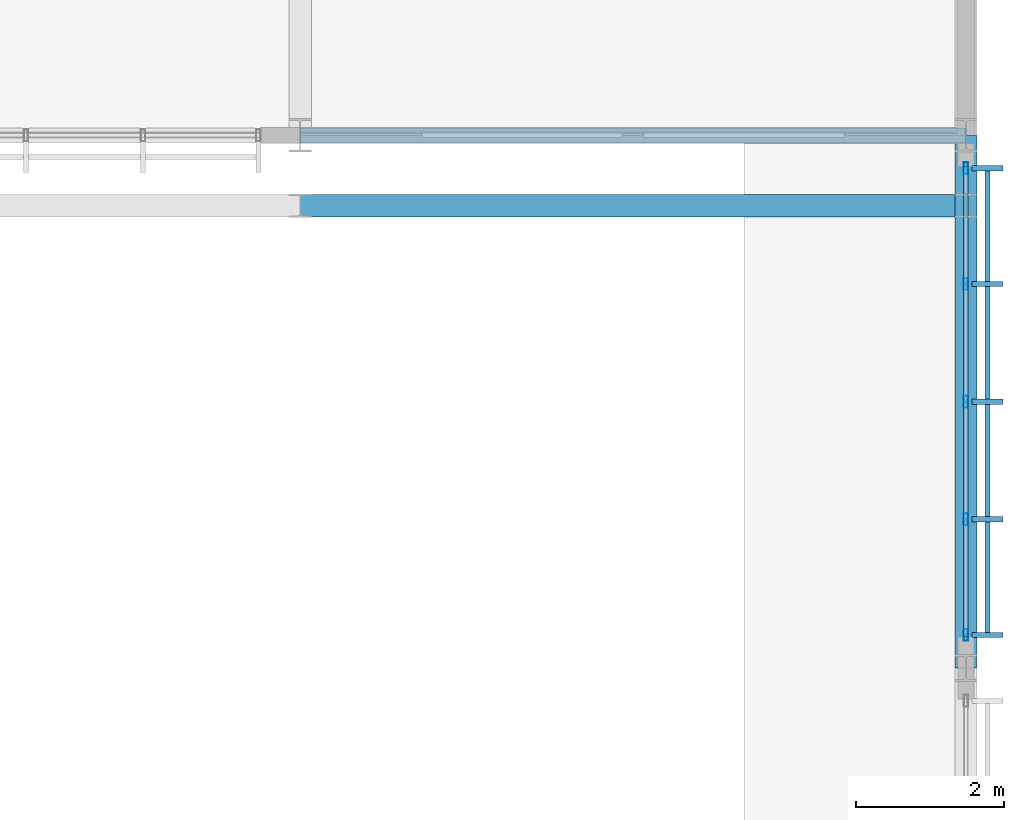
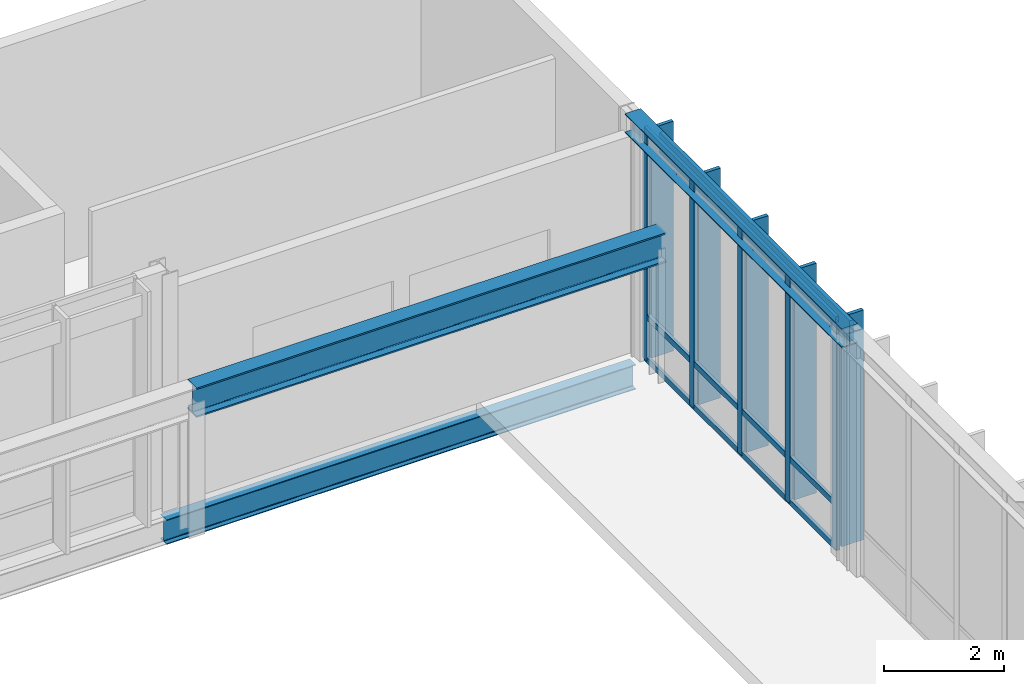
# One storey, part 113 of 177: 14 members, 3 beams, 1 element without a shape of its own.
"""IFC4 building model written with IfcOpenShell, lengths in metres."""

from ifc_helpers import new_model, si_unit, direction, frame, origin, origin_2d, place, context, subcontext, project, spatial, rectangle, hollow_rectangle, i_section, extrude, material, material_profile, profile_set, type_object, element, aggregate, save


model = new_model("IFC4")

# Units and contexts
model_context = context("Model", 3, precision=1e-05, world=origin(), true_north=direction((0.0, 1.0)))
body_context = subcontext(model_context, "Body", "Model", "MODEL_VIEW")
ifc_project = project(units=[si_unit("LENGTHUNIT", "METRE"), si_unit("AREAUNIT", "SQUARE_METRE"), si_unit("VOLUMEUNIT", "CUBIC_METRE"), si_unit("PLANEANGLEUNIT", "RADIAN"), si_unit("MASSUNIT", "GRAM", prefix="KILO")], contexts=[model_context])

# Site, building, storey
site_placement = place(None, origin())
site = spatial("IfcSite", under=ifc_project, at=site_placement, CompositionType="ELEMENT")
building_placement = place(site_placement, origin())
building = spatial("IfcBuilding", under=site, at=building_placement, Name="Chiffa Square Polytechnic", CompositionType="ELEMENT")
storey_placement = place(building_placement, frame((0.0, 0.0, 4.800048828125)))
storey = spatial("IfcBuildingStorey", under=building, at=storey_placement, Name="L01", CompositionType="ELEMENT", Elevation=4.800048828125)

# Beams
ifc_material_1 = material(Name="Steel S355", Category="steel")
ifc_material_profile_1 = material_profile(ifc_material_1, i_section(OverallWidth=0.300048828125, OverallDepth=0.389892578125, WebThickness=0.010986328125, FlangeThickness=0.01904296875, FilletRadius=0.027099609375, at=origin_2d()), Name="HEA 400")
ifc_profile_set_1 = profile_set([ifc_material_profile_1], Name="Steel S355")
beam_type_1 = type_object("IfcBeamType", Name="BM-STL-HEA400", PredefinedType="BEAM", material=ifc_profile_set_1)
beam_1_placement = place(storey_placement, frame((175.199951171875, 79.800048828125, 4.60498046875), z_axis=(0.0, 1.0, 0.0), x_axis=(-1.0, 0.0, 0.0)))
element("IfcBeam", 1, at=beam_1_placement, inside=storey, type_object=beam_type_1, Name="Workshop east gable tie girder BM-V2-GBLTIE-E4", PredefinedType="BEAM", context=body_context, shape_type="SweptSolid", body=[
    extrude(i_section(OverallWidth=0.300048828125, OverallDepth=0.389892578125, WebThickness=0.010986328125, FlangeThickness=0.01904296875, FilletRadius=0.027099609375, at=origin_2d()), origin(), (0.0, 0.0, 1.0), 7.199951171875),
])
ifc_material_profile_2 = material_profile(ifc_material_1, i_section(OverallWidth=0.199951171875, OverallDepth=0.5, WebThickness=0.01025390625, FlangeThickness=0.01611328125, FilletRadius=0.02099609375, at=origin_2d()), Name="IPE 500")
ifc_profile_set_2 = profile_set([ifc_material_profile_2], Name="Steel S355")
beam_type_2 = type_object("IfcBeamType", Name="BM-STL-IPE500", PredefinedType="BEAM", material=ifc_profile_set_2)
beam_2_placement = place(storey_placement, frame((166.199951171875, 87.0, -0.530029296875), z_axis=(1.0, 0.0, 0.0), x_axis=(0.0, 1.0, 0.0)))
element("IfcBeam", 2, at=beam_2_placement, inside=storey, type_object=beam_type_2, Name="Primary floor girder BM-V2-L01-X-1662-0870", PredefinedType="BEAM", context=body_context, shape_type="SweptSolid", body=[
    extrude(i_section(OverallWidth=0.199951171875, OverallDepth=0.5, WebThickness=0.01025390625, FlangeThickness=0.01611328125, FilletRadius=0.02099609375, at=origin_2d()), origin(), (0.0, 0.0, 1.0), 9.0),
])
ifc_material_profile_3 = material_profile(ifc_material_1, i_section(OverallWidth=0.300048828125, OverallDepth=0.60009765625, WebThickness=0.015380859375, FlangeThickness=0.030029296875, FilletRadius=0.027099609375, at=origin_2d()), Name="HEB 600")
ifc_profile_set_3 = profile_set([ifc_material_profile_3], Name="Steel S355")
beam_type_3 = type_object("IfcBeamType", Name="CG-STL-HEB600", PredefinedType="USERDEFINED", material=ifc_profile_set_3)
beam_3_placement = place(storey_placement, frame((166.199951171875, 86.050048828125, 2.699951171875), z_axis=(1.0, 0.0, 0.0), x_axis=(0.0, 1.0, 0.0)))
element("IfcBeam", 3, at=beam_3_placement, inside=storey, type_object=beam_type_3, Name="Bridge crane runway girder CG-V2-L01-N07", ObjectType="CRANE GIRDER", PredefinedType="USERDEFINED", context=body_context, shape_type="SweptSolid", body=[
    extrude(i_section(OverallWidth=0.300048828125, OverallDepth=0.60009765625, WebThickness=0.015380859375, FlangeThickness=0.030029296875, FilletRadius=0.027099609375, at=origin_2d()), origin(), (0.0, 0.0, 1.0), 9.0),
])

# Curtain wall, members
ifc_material_2 = material(Name="Aluminium EN AW-6060 T66 and glulam shading", Category="wood")
curtain_wall_type = type_object("IfcCurtainWallType", Name="CW-VERT-600X380", PredefinedType="USERDEFINED", material=ifc_material_2)
curtain_wall_placement = place(storey_placement, origin())
curtain_wall = element("IfcCurtainWall", 4, at=curtain_wall_placement, inside=storey, type_object=curtain_wall_type, Name="Curtain wall CW-V2-L01E-04", ObjectType="CURTAIN WALL", PredefinedType="USERDEFINED")
ifc_material_3 = material(Name="Aluminium EN AW-6060 T66", Category="aluminium")
ifc_material_profile_4 = material_profile(ifc_material_3, hollow_rectangle(XDim=0.06005859375, YDim=0.159912109375, WallThickness=0.00390625, at=origin_2d()), Name="ALU 60x160x4")
ifc_profile_set_4 = profile_set([ifc_material_profile_4], Name="Aluminium EN AW-6060 T66")
member_type_1 = type_object("IfcMemberType", Name="CWM-ALU-65X150", PredefinedType="MULLION", material=ifc_profile_set_4)
member_1_placement = place(storey_placement, frame((175.199951171875, 80.2451171875, 0.0400390625), z_axis=(0.0, 0.0, 1.0), x_axis=(1.0, 0.0, 0.0)))
member_1 = element("IfcMember", 5, at=member_1_placement, type_object=member_type_1, Name="Curtain wall mullion CW-V2-L01E-04-M00", PredefinedType="MULLION", context=body_context, shape_type="SweptSolid", body=[
    extrude(hollow_rectangle(XDim=0.06005859375, YDim=0.159912109375, WallThickness=0.00390625, at=origin_2d()), origin(), (0.0, 0.0, 1.0), 4.679931640625),
])
member_2_placement = place(storey_placement, frame((175.199951171875, 81.81005859375, 0.0400390625), z_axis=(0.0, 0.0, 1.0), x_axis=(1.0, 0.0, 0.0)))
member_2 = element("IfcMember", 6, at=member_2_placement, type_object=member_type_1, Name="Curtain wall mullion CW-V2-L01E-04-M01", PredefinedType="MULLION", context=body_context, shape_type="SweptSolid", body=[
    extrude(hollow_rectangle(XDim=0.06005859375, YDim=0.159912109375, WallThickness=0.00390625, at=origin_2d()), origin(), (0.0, 0.0, 1.0), 4.679931640625),
])
member_3_placement = place(storey_placement, frame((175.199951171875, 83.39990234375, 0.0400390625), z_axis=(0.0, 0.0, 1.0), x_axis=(1.0, 0.0, 0.0)))
member_3 = element("IfcMember", 7, at=member_3_placement, type_object=member_type_1, Name="Curtain wall mullion CW-V2-L01E-04-M02", PredefinedType="MULLION", context=body_context, shape_type="SweptSolid", body=[
    extrude(hollow_rectangle(XDim=0.06005859375, YDim=0.159912109375, WallThickness=0.00390625, at=origin_2d()), origin(), (0.0, 0.0, 1.0), 4.679931640625),
])
member_4_placement = place(storey_placement, frame((175.199951171875, 84.989990234375, 0.0400390625), z_axis=(0.0, 0.0, 1.0), x_axis=(1.0, 0.0, 0.0)))
member_4 = element("IfcMember", 8, at=member_4_placement, type_object=member_type_1, Name="Curtain wall mullion CW-V2-L01E-04-M03", PredefinedType="MULLION", context=body_context, shape_type="SweptSolid", body=[
    extrude(hollow_rectangle(XDim=0.06005859375, YDim=0.159912109375, WallThickness=0.00390625, at=origin_2d()), origin(), (0.0, 0.0, 1.0), 4.679931640625),
])
member_5_placement = place(storey_placement, frame((175.199951171875, 86.554931640625, 0.0400390625), z_axis=(0.0, 0.0, 1.0), x_axis=(1.0, 0.0, 0.0)))
member_5 = element("IfcMember", 9, at=member_5_placement, type_object=member_type_1, Name="Curtain wall mullion CW-V2-L01E-04-M04", PredefinedType="MULLION", context=body_context, shape_type="SweptSolid", body=[
    extrude(hollow_rectangle(XDim=0.06005859375, YDim=0.159912109375, WallThickness=0.00390625, at=origin_2d()), origin(), (0.0, 0.0, 1.0), 4.679931640625),
])
ifc_material_4 = material(Name="Glulam GL28h", Category="wood")
ifc_material_profile_5 = material_profile(ifc_material_4, rectangle(XDim=0.070068359375, YDim=0.419921875, at=origin_2d()), Name="GL28h 70x420")
ifc_profile_set_5 = profile_set([ifc_material_profile_5], Name="Glulam GL28h")
member_type_2 = type_object("IfcMemberType", Name="CWM-GL-70X420", PredefinedType="MULLION", material=ifc_profile_set_5)
member_6_placement = place(storey_placement, frame((175.491943359375, 80.2451171875, 0.050048828125), z_axis=(0.0, 0.0, 1.0), x_axis=(0.0, 1.0, 0.0)))
member_6 = element("IfcMember", 10, at=member_6_placement, type_object=member_type_2, Name="Exterior glulam solar fin CW-V2-L01E-04-FN00", PredefinedType="MULLION", context=body_context, shape_type="SweptSolid", body=[
    extrude(rectangle(XDim=0.070068359375, YDim=0.419921875, at=origin_2d()), origin(), (0.0, 0.0, 1.0), 4.659912109375),
])
member_7_placement = place(storey_placement, frame((175.491943359375, 81.81005859375, 0.050048828125), z_axis=(0.0, 0.0, 1.0), x_axis=(0.0, 1.0, 0.0)))
member_7 = element("IfcMember", 11, at=member_7_placement, type_object=member_type_2, Name="Exterior glulam solar fin CW-V2-L01E-04-FN01", PredefinedType="MULLION", context=body_context, shape_type="SweptSolid", body=[
    extrude(rectangle(XDim=0.070068359375, YDim=0.419921875, at=origin_2d()), origin(), (0.0, 0.0, 1.0), 4.659912109375),
])
member_8_placement = place(storey_placement, frame((175.491943359375, 83.39990234375, 0.050048828125), z_axis=(0.0, 0.0, 1.0), x_axis=(0.0, 1.0, 0.0)))
member_8 = element("IfcMember", 12, at=member_8_placement, type_object=member_type_2, Name="Exterior glulam solar fin CW-V2-L01E-04-FN02", PredefinedType="MULLION", context=body_context, shape_type="SweptSolid", body=[
    extrude(rectangle(XDim=0.070068359375, YDim=0.419921875, at=origin_2d()), origin(), (0.0, 0.0, 1.0), 4.659912109375),
])
member_9_placement = place(storey_placement, frame((175.491943359375, 84.989990234375, 0.050048828125), z_axis=(0.0, 0.0, 1.0), x_axis=(0.0, 1.0, 0.0)))
member_9 = element("IfcMember", 13, at=member_9_placement, type_object=member_type_2, Name="Exterior glulam solar fin CW-V2-L01E-04-FN03", PredefinedType="MULLION", context=body_context, shape_type="SweptSolid", body=[
    extrude(rectangle(XDim=0.070068359375, YDim=0.419921875, at=origin_2d()), origin(), (0.0, 0.0, 1.0), 4.659912109375),
])
member_10_placement = place(storey_placement, frame((175.491943359375, 86.554931640625, 0.050048828125), z_axis=(0.0, 0.0, 1.0), x_axis=(0.0, 1.0, 0.0)))
member_10 = element("IfcMember", 14, at=member_10_placement, type_object=member_type_2, Name="Exterior glulam solar fin CW-V2-L01E-04-FN04", PredefinedType="MULLION", context=body_context, shape_type="SweptSolid", body=[
    extrude(rectangle(XDim=0.070068359375, YDim=0.419921875, at=origin_2d()), origin(), (0.0, 0.0, 1.0), 4.659912109375),
])
ifc_material_profile_6 = material_profile(ifc_material_3, hollow_rectangle(XDim=0.06005859375, YDim=0.1201171875, WallThickness=0.00390625, at=origin_2d()), Name="ALU 60x120x4")
ifc_profile_set_6 = profile_set([ifc_material_profile_6], Name="Aluminium EN AW-6060 T66")
member_type_3 = type_object("IfcMemberType", Name="CWT-ALU-65X120", PredefinedType="USERDEFINED", material=ifc_profile_set_6)
member_11_placement = place(storey_placement, frame((175.199951171875, 80.218017578125, 0.070068359375), z_axis=(0.0, 1.0, 0.0), x_axis=(-1.0, 0.0, 0.0)))
member_11 = element("IfcMember", 15, at=member_11_placement, type_object=member_type_3, Name="Curtain wall transom CW-V2-L01E-04-T01", ObjectType="TRANSOM", PredefinedType="USERDEFINED", context=body_context, shape_type="SweptSolid", body=[
    extrude(hollow_rectangle(XDim=0.06005859375, YDim=0.1201171875, WallThickness=0.00390625, at=origin_2d()), origin(), (0.0, 0.0, 1.0), 6.364013671875),
])
member_12_placement = place(storey_placement, frame((175.199951171875, 80.218017578125, 0.93994140625), z_axis=(0.0, 1.0, 0.0), x_axis=(-1.0, 0.0, 0.0)))
member_12 = element("IfcMember", 16, at=member_12_placement, type_object=member_type_3, Name="Curtain wall transom CW-V2-L01E-04-T02", ObjectType="TRANSOM", PredefinedType="USERDEFINED", context=body_context, shape_type="SweptSolid", body=[
    extrude(hollow_rectangle(XDim=0.06005859375, YDim=0.1201171875, WallThickness=0.00390625, at=origin_2d()), origin(), (0.0, 0.0, 1.0), 6.364013671875),
])
member_13_placement = place(storey_placement, frame((175.199951171875, 80.218017578125, 4.68994140625), z_axis=(0.0, 1.0, 0.0), x_axis=(-1.0, 0.0, 0.0)))
member_13 = element("IfcMember", 17, at=member_13_placement, type_object=member_type_3, Name="Curtain wall transom CW-V2-L01E-04-T03", ObjectType="TRANSOM", PredefinedType="USERDEFINED", context=body_context, shape_type="SweptSolid", body=[
    extrude(hollow_rectangle(XDim=0.06005859375, YDim=0.1201171875, WallThickness=0.00390625, at=origin_2d()), origin(), (0.0, 0.0, 1.0), 6.364013671875),
])
ifc_material_profile_7 = material_profile(ifc_material_4, rectangle(XDim=0.070068359375, YDim=0.419921875, at=origin_2d()), Name="GL28h 70x420")
ifc_profile_set_7 = profile_set([ifc_material_profile_7], Name="Glulam GL28h")
member_type_4 = type_object("IfcMemberType", Name="CWT-GL-70X420", PredefinedType="USERDEFINED", material=ifc_profile_set_7)
member_14_placement = place(storey_placement, frame((175.491943359375, 80.2451171875, 4.33984375), z_axis=(0.0, 1.0, 0.0), x_axis=(-1.0, 0.0, 0.0)))
member_14 = element("IfcMember", 18, at=member_14_placement, type_object=member_type_4, Name="Exterior glulam brise-soleil CW-V2-L01E-04-BS01", ObjectType="TRANSOM", PredefinedType="USERDEFINED", context=body_context, shape_type="SweptSolid", body=[
    extrude(rectangle(XDim=0.070068359375, YDim=0.419921875, at=origin_2d()), origin(), (0.0, 0.0, 1.0), 6.309814453125),
])
aggregate(curtain_wall, [member_1, member_6, member_2, member_7, member_3, member_8, member_4, member_9, member_5, member_10, member_11, member_12, member_13, member_14])

save(model, "model.ifc")
